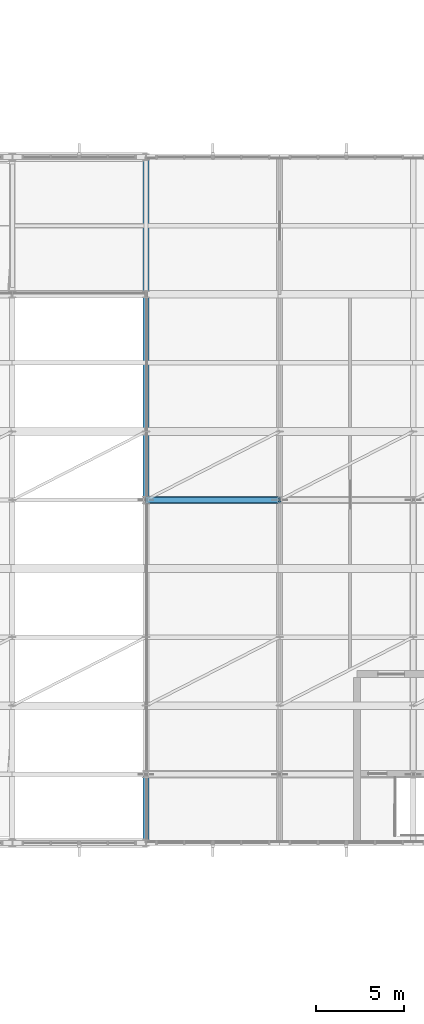
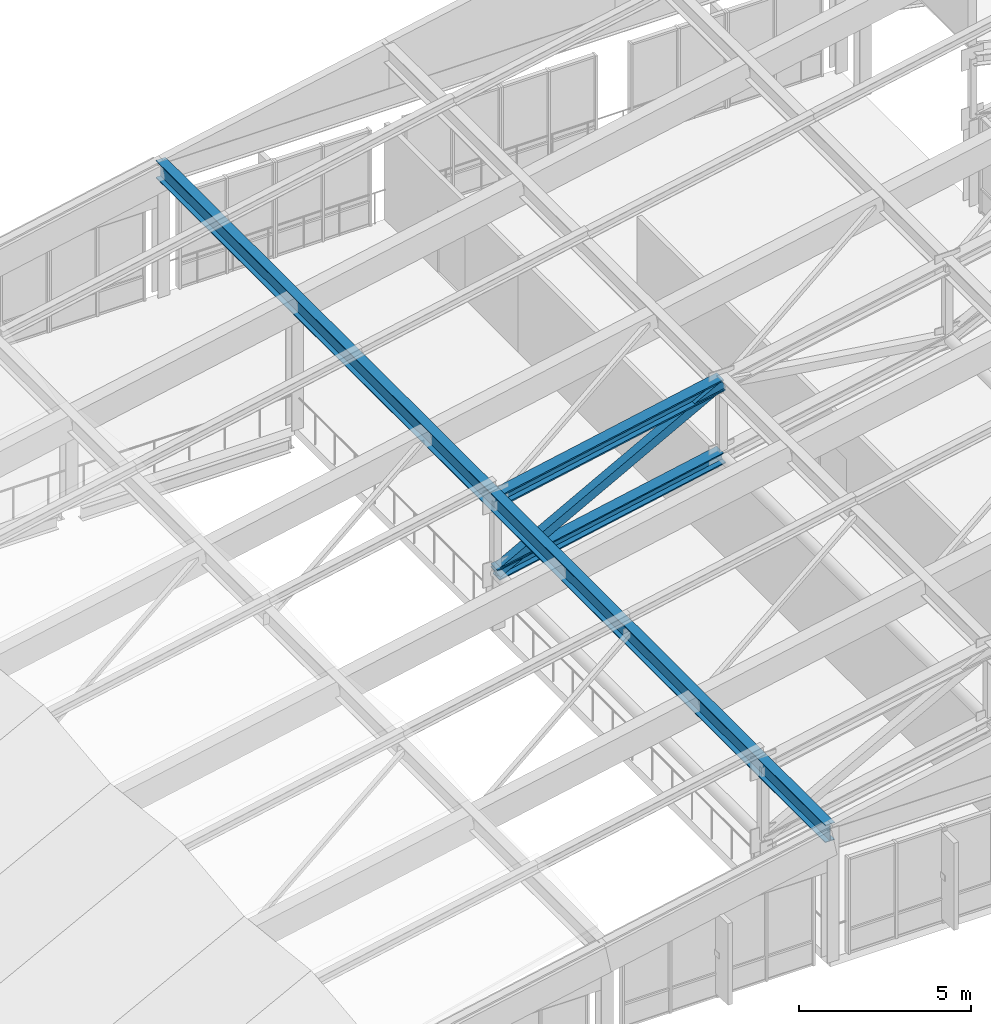
# One storey, part 18 of 73: 4 members.
"""IFC4 building model written with IfcOpenShell, lengths in metres."""

from ifc_helpers import new_model, si_unit, direction, frame, origin, origin_2d, place, context, subcontext, project, spatial, hollow_rectangle, i_section, extrude, material, material_profile, profile_set, type_object, element, save


model = new_model("IFC4")

# Units and contexts
model_context = context("Model", 3, precision=1e-05, world=origin(), true_north=direction((0.0, 1.0)))
body_context = subcontext(model_context, "Body", "Model", "MODEL_VIEW")
ifc_project = project(units=[si_unit("LENGTHUNIT", "METRE"), si_unit("AREAUNIT", "SQUARE_METRE"), si_unit("VOLUMEUNIT", "CUBIC_METRE"), si_unit("PLANEANGLEUNIT", "RADIAN"), si_unit("MASSUNIT", "GRAM", prefix="KILO")], contexts=[model_context])

# Site, building, storey
site_placement = place(None, origin())
site = spatial("IfcSite", under=ifc_project, at=site_placement, CompositionType="ELEMENT")
building_placement = place(site_placement, origin())
building = spatial("IfcBuilding", under=site, at=building_placement, Name="Vervanel Yard Central Library", CompositionType="ELEMENT")
storey_placement = place(building_placement, frame((0.0, 0.0, 12.780029296875)))
storey = spatial("IfcBuildingStorey", under=building, at=storey_placement, Name="L03", CompositionType="ELEMENT", Elevation=12.780029296875)

# Members
ifc_material_1 = material(Name="Steel ASTM A992 Grade 50", Category="steel")
ifc_material_profile_1 = material_profile(ifc_material_1, i_section(OverallWidth=0.4013671875, OverallDepth=0.398681640625, WebThickness=0.02490234375, FlangeThickness=0.03955078125, at=origin_2d()), Name="W14X211", Category="steel")
ifc_profile_set_1 = profile_set([ifc_material_profile_1], Name="Steel ASTM A992 Grade 50")
member_type_1 = type_object("IfcMemberType", Name="Prow Cantilever Truss Bottom Chord W14X211", PredefinedType="CHORD", material=ifc_profile_set_1)
member_1_placement = place(storey_placement, frame((123.199951171875, 62.699951171875, 1.9140625), z_axis=(0.980653304953, 0.0, 0.195752638515), x_axis=(0.0, 1.0, 0.0)))
element("IfcMember", 1, at=member_1_placement, inside=storey, type_object=member_type_1, Name="Prow Cantilever Truss N Bottom Chord Panel 1", PredefinedType="CHORD", context=body_context, shape_type="SweptSolid", body=[
    extrude(i_section(OverallWidth=0.4013671875, OverallDepth=0.398681640625, WebThickness=0.02490234375, FlangeThickness=0.03955078125, at=origin_2d()), origin(), (0.0, 0.0, 1.0), 7.75),
])
ifc_material_profile_2 = material_profile(ifc_material_1, i_section(OverallWidth=0.406494140625, OverallDepth=0.41650390625, WebThickness=0.030029296875, FlangeThickness=0.048095703125, at=origin_2d()), Name="W14X257", Category="steel")
ifc_profile_set_2 = profile_set([ifc_material_profile_2], Name="Steel ASTM A992 Grade 50")
member_type_2 = type_object("IfcMemberType", Name="Prow Cantilever Truss Top Chord W14X257", PredefinedType="CHORD", material=ifc_profile_set_2)
member_2_placement = place(storey_placement, frame((123.199951171875, 62.699951171875, 4.51416015625), z_axis=(0.980653304953, 0.0, 0.195752638515), x_axis=(0.0, 1.0, 0.0)))
element("IfcMember", 2, at=member_2_placement, inside=storey, type_object=member_type_2, Name="Prow Cantilever Truss N Top Chord Panel 1", PredefinedType="CHORD", context=body_context, shape_type="SweptSolid", body=[
    extrude(i_section(OverallWidth=0.406494140625, OverallDepth=0.41650390625, WebThickness=0.030029296875, FlangeThickness=0.048095703125, at=origin_2d()), origin(), (0.0, 0.0, 1.0), 7.75),
])
ifc_material_2 = material(Name="Steel ASTM A500 Grade C", Category="steel")
ifc_material_profile_3 = material_profile(ifc_material_2, hollow_rectangle(XDim=0.3046875, YDim=0.3046875, WallThickness=0.0146484375, at=origin_2d()), Name="HSS12X12X5/8", Category="steel")
ifc_profile_set_3 = profile_set([ifc_material_profile_3], Name="Steel ASTM A500 Grade C")
member_type_3 = type_object("IfcMemberType", Name="Prow Truss Web Diagonal HSS12X12X5/8", PredefinedType="BRACE", material=ifc_profile_set_3)
member_3_placement = place(storey_placement, frame((123.199951171875, 62.699951171875, 1.9140625), z_axis=(0.879269293652, 0.0, 0.476325003795), x_axis=(0.0, 1.0, 0.0)))
element("IfcMember", 3, at=member_3_placement, inside=storey, type_object=member_type_3, Name="Prow Cantilever Truss N Web Diagonal 1", PredefinedType="BRACE", context=body_context, shape_type="SweptSolid", body=[
    extrude(hollow_rectangle(XDim=0.3046875, YDim=0.3046875, WallThickness=0.0146484375, at=origin_2d()), origin(), (0.0, 0.0, 1.0), 8.6435546875),
])
ifc_material_profile_4 = material_profile(ifc_material_1, i_section(OverallWidth=0.32763671875, OverallDepth=0.622314453125, WebThickness=0.015380859375, FlangeThickness=0.0244140625, at=origin_2d()), Name="W24X131", Category="steel")
ifc_profile_set_4 = profile_set([ifc_material_profile_4], Name="Steel ASTM A992 Grade 50")
member_type_4 = type_object("IfcMemberType", Name="Shell Transverse Rafter W24X131", PredefinedType="RAFTER", material=ifc_profile_set_4)
member_4_placement = place(storey_placement, frame((123.199951171875, 43.199951171875, 4.47412109375), z_axis=(0.0, 1.0, 0.0), x_axis=(-1.0, 0.0, 0.0)))
element("IfcMember", 4, at=member_4_placement, inside=storey, type_object=member_type_4, Name="V3 Folded Shell Transverse Rafter X=123.2", PredefinedType="RAFTER", context=body_context, shape_type="SweptSolid", body=[
    extrude(i_section(OverallWidth=0.32763671875, OverallDepth=0.622314453125, WebThickness=0.015380859375, FlangeThickness=0.0244140625, at=origin_2d()), origin(), (0.0, 0.0, 1.0), 39.0),
])

save(model, "model.ifc")
